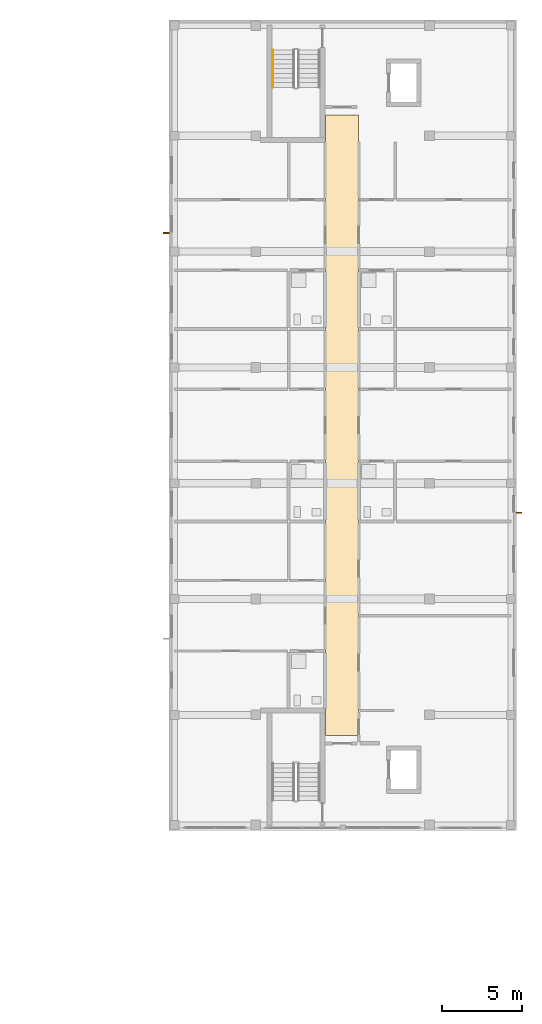
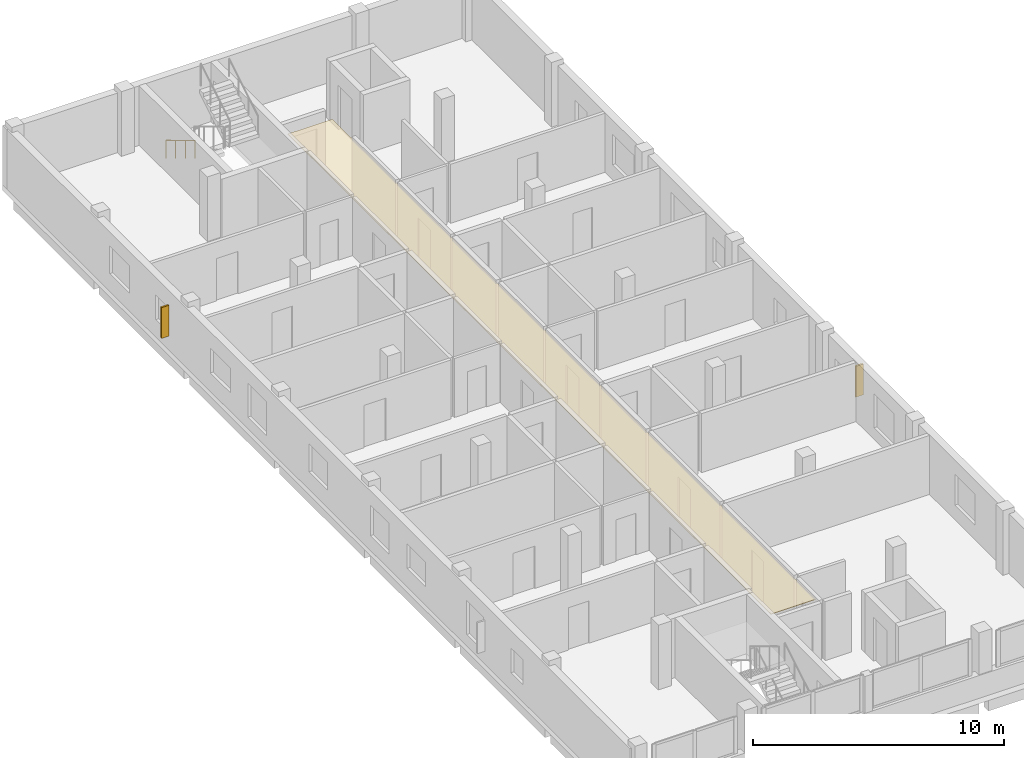
# One storey, part 32 of 35: 2 shading devices, 1 covering, 1 railing.
"""IFC4 building model written with IfcOpenShell, lengths in metres."""

import ifcopenshell
import ifcopenshell.guid

model = None  # the IFC model being written
_history = None  # IfcOwnerHistory: only IFC2X3 demands one
_inside = {}  # id of a spatial element -> (the spatial element, [elements in it])
_under = {}  # id of a project, library or spatial element -> (it, [spatial elements below it])
_declared = {}  # id of a project -> (the project, [libraries it declares])
_typed = {}  # id of a type object -> (the type object, [elements of that type])
_made_of = {}  # id of a material, layer set ... -> (it, [elements and type objects made of it])


def new_model(schema):
    """Start an empty IFC model of exactly this schema.

    Asked for "IFC4X3", IfcOpenShell would pick the latest addendum, in which some entities
    have other attributes; the version numbers below select the first issue.
    IFC2X3 requires an IfcOwnerHistory on every rooted entity: one is made here for all.
    """
    global model, _history
    if schema == "IFC4X3":
        model = ifcopenshell.file(schema_version=(4, 3, 0, 0))
    else:
        model = ifcopenshell.file(schema=schema)
    _inside.clear()
    _under.clear()
    _declared.clear()
    _typed.clear()
    _made_of.clear()
    _history = None
    if model.schema == "IFC2X3":
        org = make("IfcOrganization", Name="unknown")
        user = make(
            "IfcPersonAndOrganization",
            ThePerson=make("IfcPerson", FamilyName="unknown"),
            TheOrganization=org,
        )
        app = make(
            "IfcApplication",
            ApplicationDeveloper=org,
            Version="unknown",
            ApplicationFullName="unknown",
            ApplicationIdentifier="unknown",
        )
        _history = make(
            "IfcOwnerHistory",
            OwningUser=user,
            OwningApplication=app,
            ChangeAction="ADDED",
            CreationDate=0,
        )
    return model


def make(cls, **values):
    """One entity of the class cls with the attributes given. An attribute that is None is left unset."""
    return model.create_entity(
        cls, **{name: value for name, value in values.items() if value is not None}
    )


def rooted(cls, **values):
    """An entity with a GlobalId (a new one), such as an element, a storey or a relation."""
    return make(cls, GlobalId=ifcopenshell.guid.new(), OwnerHistory=_history, **values)


def si_unit(unit_type, name, prefix=None):
    """IfcSIUnit, for example si_unit("LENGTHUNIT", "METRE", prefix="MILLI")."""
    return make("IfcSIUnit", UnitType=unit_type, Prefix=prefix, Name=name)


def derived_unit(unit_type, elements):
    """IfcDerivedUnit: a product of units, each with its exponent."""
    return make(
        "IfcDerivedUnit",
        Elements=[
            make("IfcDerivedUnitElement", Unit=unit, Exponent=power)
            for unit, power in elements
        ],
        UnitType=unit_type,
    )


def assignment(units):
    """IfcUnitAssignment: the units of a project."""
    return None if units is None else make("IfcUnitAssignment", Units=units)


def point(xyz):
    """IfcCartesianPoint."""
    return None if xyz is None else make("IfcCartesianPoint", Coordinates=xyz)


def direction(xyz):
    """IfcDirection."""
    return None if xyz is None else make("IfcDirection", DirectionRatios=xyz)


def frame(location, z_axis=None, x_axis=None):
    """IfcAxis2Placement3D, a coordinate frame: its origin and axes. An axis left out is left unset."""
    return make(
        "IfcAxis2Placement3D",
        Location=point(location),
        Axis=direction(z_axis),
        RefDirection=direction(x_axis),
    )


def frame_2d(location, x_axis=None):
    """IfcAxis2Placement2D, a coordinate frame in the plane: its origin and x axis."""
    return make(
        "IfcAxis2Placement2D", Location=point(location), RefDirection=direction(x_axis)
    )


def origin():
    """The frame at (0, 0, 0) with its axes left unset."""
    return frame((0.0, 0.0, 0.0))


def origin_2d():
    """The frame at (0, 0) in the plane with its x axis left unset."""
    return frame_2d((0.0, 0.0))


def place(relative_to, where):
    """IfcLocalPlacement: puts the frame where relative to a parent placement (None: the world)."""
    return make(
        "IfcLocalPlacement", PlacementRelTo=relative_to, RelativePlacement=where
    )


def context(
    kind, dimensions, precision=None, world=None, true_north=None, identifier=None
):
    """IfcGeometricRepresentationContext, for example the 3D "Model" context."""
    return make(
        "IfcGeometricRepresentationContext",
        ContextIdentifier=identifier,
        ContextType=kind,
        CoordinateSpaceDimension=dimensions,
        Precision=precision,
        WorldCoordinateSystem=world,
        TrueNorth=true_north,
    )


def subcontext(parent, identifier, kind, view, scale=None):
    """IfcGeometricRepresentationSubContext, for example "Body" below "Model"."""
    return make(
        "IfcGeometricRepresentationSubContext",
        ContextIdentifier=identifier,
        ContextType=kind,
        ParentContext=parent,
        TargetScale=scale,
        TargetView=view,
    )


def project(units=None, contexts=None):
    """IfcProject with its units and contexts."""
    return rooted(
        "IfcProject",
        Name="project",
        RepresentationContexts=contexts,
        UnitsInContext=assignment(units),
    )


def spatial(cls, under=None, at=None, **own):
    """A site, building, storey or space (cls), placed at a placement, below another one or the project."""
    s = rooted(cls, ObjectPlacement=at, **own)
    if under is not None:
        _under.setdefault(under.id(), (under, []))[1].append(s)
    return s


def polyline(points):
    """IfcPolyline through the points."""
    return make("IfcPolyline", Points=[point(p) for p in points])


def profile(cls, at=None, kind="AREA", **sizes):
    """A parametric profile (cls). Its sizes go by their IFC names, for example OverallWidth=200.0."""
    return make(cls, ProfileType=kind, Position=at, **sizes)


def rectangle(**sizes):
    """IfcRectangleProfileDef."""
    return profile("IfcRectangleProfileDef", **sizes)


def circle(**sizes):
    """IfcCircleProfileDef."""
    return profile("IfcCircleProfileDef", **sizes)


def outline(outer, holes=None, kind="AREA"):
    """IfcArbitraryClosedProfileDef: a profile drawn as a closed curve; with holes, ...WithVoids."""
    if holes is None:
        return make("IfcArbitraryClosedProfileDef", ProfileType=kind, OuterCurve=outer)
    return make(
        "IfcArbitraryProfileDefWithVoids",
        ProfileType=kind,
        OuterCurve=outer,
        InnerCurves=holes,
    )


def extrude(swept, where, along, depth):
    """IfcExtrudedAreaSolid: the profile swept, set in the frame where, extruded along a direction by depth."""
    return make(
        "IfcExtrudedAreaSolid",
        SweptArea=swept,
        Position=where,
        ExtrudedDirection=direction(along),
        Depth=depth,
    )


def shape(context_of_items, identifier, shape_type, items):
    """IfcShapeRepresentation: the items that make up one representation, for example the "Body"."""
    return make(
        "IfcShapeRepresentation",
        ContextOfItems=context_of_items,
        RepresentationIdentifier=identifier,
        RepresentationType=shape_type,
        Items=items,
    )


def material(Name=None, Category=None):
    """IfcMaterial."""
    return make("IfcMaterial", Name=Name, Category=Category)


def layer(
    of_material, thickness, ventilated=None, Name=None, Category=None, Priority=None
):
    """IfcMaterialLayer: one layer of a wall or slab, of a material (None: an air gap)."""
    return make(
        "IfcMaterialLayer",
        Material=of_material,
        LayerThickness=thickness,
        IsVentilated=ventilated,
        Name=Name,
        Category=Category,
        Priority=Priority,
    )


def layer_set(layers, Name=None):
    """IfcMaterialLayerSet."""
    return make("IfcMaterialLayerSet", MaterialLayers=layers, LayerSetName=Name)


def made_of(thing, what):
    """Note that an element or type object is made of a material, layer set ...; save() writes the relation."""
    if what is not None:
        _made_of.setdefault(what.id(), (what, []))[1].append(thing)
    return thing


def type_object(cls, material=None, **own):
    """A type object (cls), such as IfcWallType, which elements share."""
    return made_of(rooted(cls, **own), material)


def element(
    cls,
    number,
    at=None,
    inside=None,
    cuts=None,
    type_object=None,
    material=None,
    context=None,
    identifier="Body",
    shape_type=None,
    held_by="IfcProductDefinitionShape",
    body=None,
    shapes=None,
    **own,
):
    """One element of the class cls, such as IfcWall. Its Tag is "e" and its number.

    at: its placement. inside: the storey or other place that contains it. cuts: it is an
    opening in that element (IfcRelVoidsElement). A single representation is given by context,
    identifier, shape_type and body (its items); several are given by shapes. held_by: the class
    of the entity that holds the representations. save() writes the other relations.
    """
    e = rooted(cls, Tag="e%d" % number, ObjectPlacement=at, **own)
    if body is not None:
        shapes = [shape(context, identifier, shape_type, body)]
    if shapes is not None:
        e.Representation = make(held_by, Representations=shapes)
    if inside is not None:
        _inside.setdefault(inside.id(), (inside, []))[1].append(e)
    if cuts is not None:
        rooted(
            "IfcRelVoidsElement", RelatingBuildingElement=cuts, RelatedOpeningElement=e
        )
    if type_object is not None:
        _typed.setdefault(type_object.id(), (type_object, []))[1].append(e)
    return made_of(e, material)


def aggregate(whole, parts):
    """IfcRelAggregates: a whole, such as a stair, and the parts it consists of."""
    return rooted("IfcRelAggregates", RelatingObject=whole, RelatedObjects=parts)


def save(model, path):
    """Write the relations noted so far, then the file.

    IfcRelAggregates (storeys below a building ...), IfcRelContainedInSpatialStructure (elements
    in a storey), IfcRelDefinesByType, IfcRelAssociatesMaterial and IfcRelDeclares: one each for
    every whole, place, type object, material and project.
    """
    for whole, parts in _under.values():
        aggregate(whole, parts)
    for where, things in _inside.values():
        rooted(
            "IfcRelContainedInSpatialStructure",
            RelatedElements=things,
            RelatingStructure=where,
        )
    for kind, things in _typed.values():
        rooted("IfcRelDefinesByType", RelatedObjects=things, RelatingType=kind)
    for what, things in _made_of.values():
        rooted("IfcRelAssociatesMaterial", RelatedObjects=things, RelatingMaterial=what)
    for by, libraries in _declared.values():
        rooted("IfcRelDeclares", RelatingContext=by, RelatedDefinitions=libraries)
    model.write(path)


model = new_model("IFC4")

# Units and contexts
model_context = context("Model", 3, precision=1e-05, world=origin(), true_north=direction((0.0, 1.0)))
body_context = subcontext(model_context, "Body", "Model", "MODEL_VIEW")
ifc_project = project(units=[si_unit("LENGTHUNIT", "METRE"), si_unit("AREAUNIT", "SQUARE_METRE"), si_unit("VOLUMEUNIT", "CUBIC_METRE"), si_unit("PLANEANGLEUNIT", "RADIAN"), si_unit("MASSUNIT", "GRAM", prefix="KILO"), derived_unit("THERMALTRANSMITTANCEUNIT", [(si_unit("MASSUNIT", "GRAM", prefix="KILO"), 1), (si_unit("TIMEUNIT", "SECOND"), -3), (si_unit("THERMODYNAMICTEMPERATUREUNIT", "KELVIN"), -1)])], contexts=[model_context])

# Site, building, storey
site_placement = place(None, origin())
site = spatial("IfcSite", under=ifc_project, at=site_placement, CompositionType="ELEMENT")
building_placement = place(site_placement, origin())
building = spatial("IfcBuilding", under=site, at=building_placement, Name="Ochrekiln Boulevard Commons", CompositionType="ELEMENT")
storey_placement = place(building_placement, frame((0.0, 0.0, 30.97509765625)))
storey = spatial("IfcBuildingStorey", under=building, at=storey_placement, Name="L09", CompositionType="ELEMENT", Elevation=30.97509765625)

# Covering
ifc_material_1 = material(Name="Mineral-fibre acoustic ceiling tile")
ifc_layer = layer(ifc_material_1, 0.02490234375)
ifc_layer_set = layer_set([ifc_layer], Name="Mineral-fibre acoustic ceiling tile")
covering_type = type_object("IfcCoveringType", Name="COV-CEIL-AC", PredefinedType="CEILING", material=ifc_layer_set)
covering_placement = place(storey_placement, frame((0.0, 0.0, 2.64990234375)))
element("IfcCovering", 1, at=covering_placement, inside=storey, type_object=covering_type, Name="L09 Acoustic Corridor Ceiling 64", PredefinedType="CEILING", context=body_context, shape_type="SweptSolid", body=[
    extrude(outline(polyline([(160.919921875, 74.320068359375), (162.97998046875, 74.320068359375), (162.97998046875, 112.8798828125), (160.919921875, 112.8798828125), (160.919921875, 74.320068359375)])), origin(), (0.0, 0.0, 1.0), 0.02490234375),
])

# Railing
ifc_material_2 = material(Name="Brushed stainless steel 316 tubular railing", Category="steel")
railing_type = type_object("IfcRailingType", Name="RLG-HDR-900", PredefinedType="HANDRAIL", material=ifc_material_2)
railing_placement = place(storey_placement, frame((157.64990234375, 116.929931640625, 0.1748046875)))
element("IfcRailing", 2, at=railing_placement, inside=storey, type_object=railing_type, Name="L09 ST-B2 stair handrail 1", PredefinedType="HANDRAIL", context=body_context, shape_type="SweptSolid", body=[
    extrude(circle(Radius=0.02392578125, at=origin_2d()), frame((0.0, 0.0, 0.8759765625), z_axis=(0.0, -0.856146426353, 0.516733293531), x_axis=(1.0, 0.0, 0.0)), (0.0, 0.0, 1.0), 2.709716796875),
    extrude(circle(Radius=0.02099609375, at=origin_2d()), origin(), (0.0, 0.0, 1.0), 0.851806640625),
    extrude(circle(Radius=0.02099609375, at=origin_2d()), frame((0.0, -0.773193359375, 0.466796875)), (0.0, 0.0, 1.0), 0.851806640625),
    extrude(circle(Radius=0.02099609375, at=origin_2d()), frame((0.0, -1.546630859375, 0.933349609375)), (0.0, 0.0, 1.0), 0.851806640625),
    extrude(circle(Radius=0.02099609375, at=origin_2d()), frame((0.0, -2.31982421875, 1.400146484375)), (0.0, 0.0, 1.0), 0.851806640625),
])

# Shading devices
ifc_material_3 = material(Name="Glazed architectural terracotta ASTM C1405", Category="masonry")
shading_device_type = type_object("IfcShadingDeviceType", Name="SHD-FIN-TERRA", PredefinedType="JALOUSIE", material=ifc_material_3)
for number, where, z_axis, x_axis, name in (
    (3, (151.030029296875, 105.553955078125, 0.699951171875), (0.0, 0.0, 1.0), (1.0, 0.0, 0.0), "Terracotta Solar Shading Fin SF-01 (45)"),
    (4, (172.969970703125, 88.1630859375, 0.699951171875), (0.0, 0.0, 1.0), (1.0, 0.0, 0.0), "Terracotta Solar Shading Fin SF-01 (46)"),
):
    element("IfcShadingDevice", number, at=place(storey_placement, frame(where, z_axis=z_axis, x_axis=x_axis)), inside=storey, type_object=shading_device_type, Name=name, PredefinedType="JALOUSIE", context=body_context, shape_type="SweptSolid", body=[
        extrude(rectangle(XDim=0.35009765625, YDim=0.080078125, at=origin_2d()), origin(), (0.0, 0.0, 1.0), 1.5),
    ])

save(model, "model.ifc")
